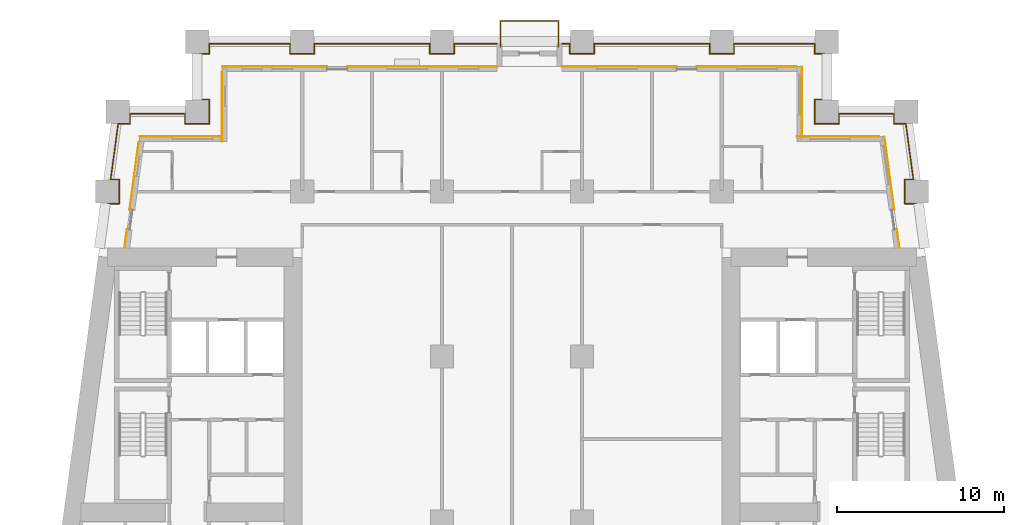
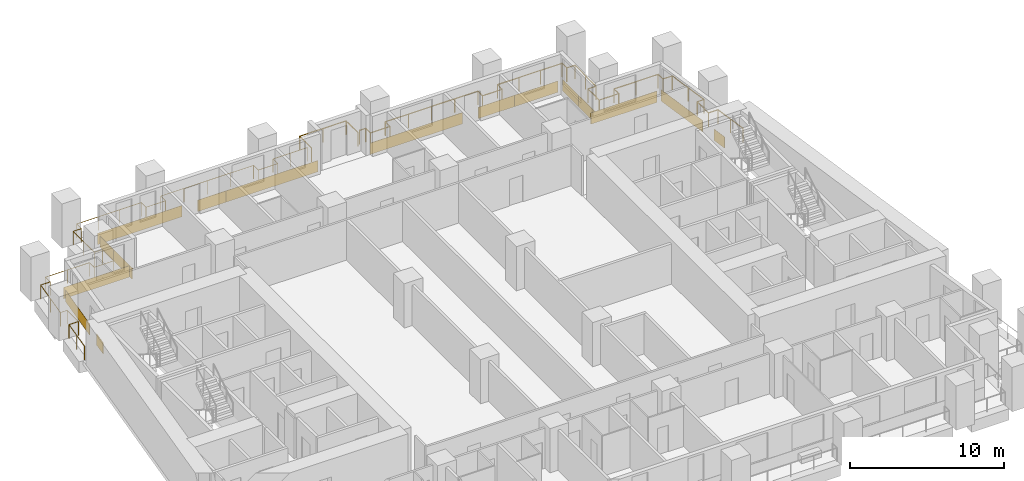
# One storey, part 12 of 13: 16 coverings, 3 railings.
"""IFC4 building model written with IfcOpenShell, lengths in metres."""

from ifc_helpers import new_model, si_unit, direction, frame, origin, origin_2d, place, context, subcontext, project, spatial, rectangle, circle, extrude, material, layer, layer_set, type_object, element, save


model = new_model("IFC4")

# Units and contexts
model_context = context("Model", 3, precision=1e-05, world=origin(), true_north=direction((0.0, 1.0)))
body_context = subcontext(model_context, "Body", "Model", "MODEL_VIEW")
ifc_project = project(units=[si_unit("LENGTHUNIT", "METRE"), si_unit("AREAUNIT", "SQUARE_METRE"), si_unit("VOLUMEUNIT", "CUBIC_METRE"), si_unit("PLANEANGLEUNIT", "RADIAN"), si_unit("MASSUNIT", "GRAM", prefix="KILO")], contexts=[model_context])

# Site, building, storey
site_placement = place(None, origin())
site = spatial("IfcSite", under=ifc_project, at=site_placement, CompositionType="ELEMENT")
building_placement = place(site_placement, origin())
building = spatial("IfcBuilding", under=site, at=building_placement, Name="Candeia Pilgrim Tower and Theatre", CompositionType="ELEMENT")
storey_placement = place(building_placement, frame((0.0, 0.0, 70.5)))
storey = spatial("IfcBuildingStorey", under=building, at=storey_placement, Name="L15", CompositionType="ELEMENT", Elevation=70.5)

# Railings
ifc_material_1 = material(Name="Stainless steel balustrade", Category="steel")
railing_type = type_object("IfcRailingType", Name="G1 loggia guard 1100", PredefinedType="GUARDRAIL", material=ifc_material_1)
railing_1_placement = place(storey_placement, frame((88.758544921875, 132.449951171875, 0.0)))
element("IfcRailing", 1, at=railing_1_placement, inside=storey, type_object=railing_type, Name="Guard L15.2", PredefinedType="GUARDRAIL", context=body_context, shape_type="SweptSolid", body=[
    extrude(circle(Radius=0.02392578125, at=origin_2d()), frame((0.0, 0.0, 1.076171875), z_axis=(0.133439920495, 0.991056904329, 0.0), x_axis=(-0.991056904329, 0.133439920495, 0.0)), (0.0, 0.0, 1.0), 2.643798828125),
    extrude(circle(Radius=0.02392578125, at=origin_2d()), frame((0.352783203125, 2.6201171875, 1.076171875), z_axis=(1.0, 0.0, 0.0), x_axis=(0.0, 1.0, 0.0)), (0.0, 0.0, 1.0), 0.70703125),
    extrude(circle(Radius=0.02392578125, at=origin_2d()), frame((1.059814453125, 2.6201171875, 1.076171875), z_axis=(0.0, 1.0, 0.0), x_axis=(-1.0, 0.0, 0.0)), (0.0, 0.0, 1.0), 1.4599609375),
    extrude(circle(Radius=0.02392578125, at=origin_2d()), frame((1.059814453125, 4.080078125, 1.076171875), z_axis=(-1.0, 0.0, 0.0), x_axis=(0.0, -1.0, 0.0)), (0.0, 0.0, 1.0), 0.510498046875),
    extrude(circle(Radius=0.02392578125, at=origin_2d()), frame((0.54931640625, 4.080078125, 1.076171875), z_axis=(0.133364121373, 0.991067107279, 0.0), x_axis=(-0.991067107279, 0.133364121373, 0.0)), (0.0, 0.0, 1.0), 3.3701171875),
    extrude(circle(Radius=0.02392578125, at=origin_2d()), frame((0.998779296875, 7.420166015625, 1.076171875), z_axis=(1.0, 0.0, 0.0), x_axis=(0.0, 1.0, 0.0)), (0.0, 0.0, 1.0), 0.707275390625),
    extrude(circle(Radius=0.02392578125, at=origin_2d()), frame((1.7060546875, 7.420166015625, 1.076171875), z_axis=(0.0, 1.0, 0.0), x_axis=(-1.0, 0.0, 0.0)), (0.0, 0.0, 1.0), 0.60986328125),
    extrude(circle(Radius=0.02392578125, at=origin_2d()), frame((1.7060546875, 8.030029296875, 1.076171875), z_axis=(1.0, 0.0, 0.0), x_axis=(0.0, 1.0, 0.0)), (0.0, 0.0, 1.0), 3.305419921875),
    extrude(circle(Radius=0.02392578125, at=origin_2d()), frame((5.011474609375, 8.030029296875, 1.076171875), z_axis=(0.0, -1.0, 0.0), x_axis=(1.0, 0.0, 0.0)), (0.0, 0.0, 1.0), 0.60986328125),
    extrude(circle(Radius=0.02392578125, at=origin_2d()), frame((5.011474609375, 7.420166015625, 1.076171875), z_axis=(1.0, 0.0, 0.0), x_axis=(0.0, 1.0, 0.0)), (0.0, 0.0, 1.0), 1.4599609375),
    extrude(circle(Radius=0.02392578125, at=origin_2d()), frame((6.471435546875, 7.420166015625, 1.076171875), z_axis=(0.0, 1.0, 0.0), x_axis=(-1.0, 0.0, 0.0)), (0.0, 0.0, 1.0), 1.4599609375),
    extrude(circle(Radius=0.02392578125, at=origin_2d()), frame((6.471435546875, 8.880126953125, 1.076171875), z_axis=(-1.0, 0.0, 0.0), x_axis=(0.0, -1.0, 0.0)), (0.0, 0.0, 1.0), 0.60986328125),
    extrude(circle(Radius=0.02392578125, at=origin_2d()), frame((5.861572265625, 8.880126953125, 1.076171875), z_axis=(0.0, 1.0, 0.0), x_axis=(-1.0, 0.0, 0.0)), (0.0, 0.0, 1.0), 2.739990234375),
    extrude(circle(Radius=0.02392578125, at=origin_2d()), frame((5.861572265625, 11.6201171875, 1.076171875), z_axis=(1.0, 0.0, 0.0), x_axis=(0.0, 1.0, 0.0)), (0.0, 0.0, 1.0), 0.60986328125),
    extrude(circle(Radius=0.02392578125, at=origin_2d()), frame((6.471435546875, 11.6201171875, 1.076171875), z_axis=(0.0, 1.0, 0.0), x_axis=(-1.0, 0.0, 0.0)), (0.0, 0.0, 1.0), 0.60986328125),
    extrude(circle(Radius=0.02392578125, at=origin_2d()), frame((6.471435546875, 12.22998046875, 1.076171875), z_axis=(1.0, 0.0, 0.0), x_axis=(0.0, 1.0, 0.0)), (0.0, 0.0, 1.0), 4.840087890625),
    extrude(circle(Radius=0.02392578125, at=origin_2d()), frame((11.3115234375, 12.22998046875, 1.076171875), z_axis=(0.0, -1.0, 0.0), x_axis=(1.0, 0.0, 0.0)), (0.0, 0.0, 1.0), 0.60986328125),
    extrude(circle(Radius=0.02392578125, at=origin_2d()), frame((11.3115234375, 11.6201171875, 1.076171875), z_axis=(1.0, 0.0, 0.0), x_axis=(0.0, 1.0, 0.0)), (0.0, 0.0, 1.0), 1.4599609375),
    extrude(circle(Radius=0.02392578125, at=origin_2d()), frame((12.771484375, 11.6201171875, 1.076171875), z_axis=(0.0, 1.0, 0.0), x_axis=(-1.0, 0.0, 0.0)), (0.0, 0.0, 1.0), 0.60986328125),
    extrude(circle(Radius=0.02392578125, at=origin_2d()), frame((12.771484375, 12.22998046875, 1.076171875), z_axis=(1.0, 0.0, 0.0), x_axis=(0.0, 1.0, 0.0)), (0.0, 0.0, 1.0), 6.93994140625),
    extrude(circle(Radius=0.02392578125, at=origin_2d()), frame((19.71142578125, 12.22998046875, 1.076171875), z_axis=(0.0, -1.0, 0.0), x_axis=(1.0, 0.0, 0.0)), (0.0, 0.0, 1.0), 0.60986328125),
    extrude(circle(Radius=0.02392578125, at=origin_2d()), frame((19.71142578125, 11.6201171875, 1.076171875), z_axis=(1.0, 0.0, 0.0), x_axis=(0.0, 1.0, 0.0)), (0.0, 0.0, 1.0), 1.4599609375),
    extrude(circle(Radius=0.02392578125, at=origin_2d()), frame((21.17138671875, 11.6201171875, 1.076171875), z_axis=(0.0, 1.0, 0.0), x_axis=(-1.0, 0.0, 0.0)), (0.0, 0.0, 1.0), 0.60986328125),
    extrude(circle(Radius=0.02392578125, at=origin_2d()), frame((21.17138671875, 12.22998046875, 1.076171875), z_axis=(1.0, 0.0, 0.0), x_axis=(0.0, 1.0, 0.0)), (0.0, 0.0, 1.0), 2.570068359375),
    extrude(circle(Radius=0.02099609375, at=origin_2d()), origin(), (0.0, 0.0, 1.0), 1.052001953125),
    extrude(circle(Radius=0.02099609375, at=origin_2d()), frame((0.17626953125, 1.31005859375, 0.0)), (0.0, 0.0, 1.0), 1.052001953125),
    extrude(circle(Radius=0.02099609375, at=origin_2d()), frame((0.352783203125, 2.6201171875, 0.0)), (0.0, 0.0, 1.0), 1.052001953125),
    extrude(circle(Radius=0.02099609375, at=origin_2d()), frame((1.059814453125, 2.6201171875, 0.0)), (0.0, 0.0, 1.0), 1.052001953125),
    extrude(circle(Radius=0.02099609375, at=origin_2d()), frame((1.059814453125, 4.080078125, 0.0)), (0.0, 0.0, 1.0), 1.052001953125),
    extrude(circle(Radius=0.02099609375, at=origin_2d()), frame((0.54931640625, 4.080078125, 0.0)), (0.0, 0.0, 1.0), 1.052001953125),
    extrude(circle(Radius=0.02099609375, at=origin_2d()), frame((0.77392578125, 5.75, 0.0)), (0.0, 0.0, 1.0), 1.052001953125),
    extrude(circle(Radius=0.02099609375, at=origin_2d()), frame((0.998779296875, 7.420166015625, 0.0)), (0.0, 0.0, 1.0), 1.052001953125),
    extrude(circle(Radius=0.02099609375, at=origin_2d()), frame((1.7060546875, 7.420166015625, 0.0)), (0.0, 0.0, 1.0), 1.052001953125),
    extrude(circle(Radius=0.02099609375, at=origin_2d()), frame((1.7060546875, 8.030029296875, 0.0)), (0.0, 0.0, 1.0), 1.052001953125),
    extrude(circle(Radius=0.02099609375, at=origin_2d()), frame((3.35888671875, 8.030029296875, 0.0)), (0.0, 0.0, 1.0), 1.052001953125),
    extrude(circle(Radius=0.02099609375, at=origin_2d()), frame((5.011474609375, 8.030029296875, 0.0)), (0.0, 0.0, 1.0), 1.052001953125),
    extrude(circle(Radius=0.02099609375, at=origin_2d()), frame((5.011474609375, 7.420166015625, 0.0)), (0.0, 0.0, 1.0), 1.052001953125),
    extrude(circle(Radius=0.02099609375, at=origin_2d()), frame((6.471435546875, 7.420166015625, 0.0)), (0.0, 0.0, 1.0), 1.052001953125),
    extrude(circle(Radius=0.02099609375, at=origin_2d()), frame((6.471435546875, 8.880126953125, 0.0)), (0.0, 0.0, 1.0), 1.052001953125),
    extrude(circle(Radius=0.02099609375, at=origin_2d()), frame((5.861572265625, 8.880126953125, 0.0)), (0.0, 0.0, 1.0), 1.052001953125),
    extrude(circle(Radius=0.02099609375, at=origin_2d()), frame((5.861572265625, 10.25, 0.0)), (0.0, 0.0, 1.0), 1.052001953125),
    extrude(circle(Radius=0.02099609375, at=origin_2d()), frame((5.861572265625, 11.6201171875, 0.0)), (0.0, 0.0, 1.0), 1.052001953125),
    extrude(circle(Radius=0.02099609375, at=origin_2d()), frame((6.471435546875, 11.6201171875, 0.0)), (0.0, 0.0, 1.0), 1.052001953125),
    extrude(circle(Radius=0.02099609375, at=origin_2d()), frame((6.471435546875, 12.22998046875, 0.0)), (0.0, 0.0, 1.0), 1.052001953125),
    extrude(circle(Radius=0.02099609375, at=origin_2d()), frame((8.084716796875, 12.22998046875, 0.0)), (0.0, 0.0, 1.0), 1.052001953125),
    extrude(circle(Radius=0.02099609375, at=origin_2d()), frame((9.6982421875, 12.22998046875, 0.0)), (0.0, 0.0, 1.0), 1.052001953125),
    extrude(circle(Radius=0.02099609375, at=origin_2d()), frame((11.3115234375, 12.22998046875, 0.0)), (0.0, 0.0, 1.0), 1.052001953125),
    extrude(circle(Radius=0.02099609375, at=origin_2d()), frame((11.3115234375, 11.6201171875, 0.0)), (0.0, 0.0, 1.0), 1.052001953125),
    extrude(circle(Radius=0.02099609375, at=origin_2d()), frame((12.771484375, 11.6201171875, 0.0)), (0.0, 0.0, 1.0), 1.052001953125),
    extrude(circle(Radius=0.02099609375, at=origin_2d()), frame((12.771484375, 12.22998046875, 0.0)), (0.0, 0.0, 1.0), 1.052001953125),
    extrude(circle(Radius=0.02099609375, at=origin_2d()), frame((14.50634765625, 12.22998046875, 0.0)), (0.0, 0.0, 1.0), 1.052001953125),
    extrude(circle(Radius=0.02099609375, at=origin_2d()), frame((16.241455078125, 12.22998046875, 0.0)), (0.0, 0.0, 1.0), 1.052001953125),
    extrude(circle(Radius=0.02099609375, at=origin_2d()), frame((17.9765625, 12.22998046875, 0.0)), (0.0, 0.0, 1.0), 1.052001953125),
    extrude(circle(Radius=0.02099609375, at=origin_2d()), frame((19.71142578125, 12.22998046875, 0.0)), (0.0, 0.0, 1.0), 1.052001953125),
    extrude(circle(Radius=0.02099609375, at=origin_2d()), frame((19.71142578125, 11.6201171875, 0.0)), (0.0, 0.0, 1.0), 1.052001953125),
    extrude(circle(Radius=0.02099609375, at=origin_2d()), frame((21.17138671875, 11.6201171875, 0.0)), (0.0, 0.0, 1.0), 1.052001953125),
    extrude(circle(Radius=0.02099609375, at=origin_2d()), frame((21.17138671875, 12.22998046875, 0.0)), (0.0, 0.0, 1.0), 1.052001953125),
    extrude(circle(Radius=0.02099609375, at=origin_2d()), frame((22.45654296875, 12.22998046875, 0.0)), (0.0, 0.0, 1.0), 1.052001953125),
    extrude(circle(Radius=0.02099609375, at=origin_2d()), frame((23.741455078125, 12.22998046875, 0.0)), (0.0, 0.0, 1.0), 1.052001953125),
])
railing_2_placement = place(storey_placement, frame((116.39990234375, 144.679931640625, 0.0)))
element("IfcRailing", 2, at=railing_2_placement, inside=storey, type_object=railing_type, Name="Guard L15.3", PredefinedType="GUARDRAIL", context=body_context, shape_type="SweptSolid", body=[
    extrude(circle(Radius=0.02392578125, at=origin_2d()), frame((0.0, 0.0, 1.076171875), z_axis=(1.0, 0.0, 0.0), x_axis=(0.0, 1.0, 0.0)), (0.0, 0.0, 1.0), 0.47021484375),
    extrude(circle(Radius=0.02392578125, at=origin_2d()), frame((0.47021484375, 0.0, 1.076171875), z_axis=(0.0, -1.0, 0.0), x_axis=(1.0, 0.0, 0.0)), (0.0, 0.0, 1.0), 0.60986328125),
    extrude(circle(Radius=0.02392578125, at=origin_2d()), frame((0.47021484375, -0.60986328125, 1.076171875), z_axis=(1.0, 0.0, 0.0), x_axis=(0.0, 1.0, 0.0)), (0.0, 0.0, 1.0), 1.4599609375),
    extrude(circle(Radius=0.02392578125, at=origin_2d()), frame((1.93017578125, -0.60986328125, 1.076171875), z_axis=(0.0, 1.0, 0.0), x_axis=(-1.0, 0.0, 0.0)), (0.0, 0.0, 1.0), 0.60986328125),
    extrude(circle(Radius=0.02392578125, at=origin_2d()), frame((1.93017578125, 0.0, 1.076171875), z_axis=(1.0, 0.0, 0.0), x_axis=(0.0, 1.0, 0.0)), (0.0, 0.0, 1.0), 6.93994140625),
    extrude(circle(Radius=0.02392578125, at=origin_2d()), frame((8.8701171875, 0.0, 1.076171875), z_axis=(0.0, -1.0, 0.0), x_axis=(1.0, 0.0, 0.0)), (0.0, 0.0, 1.0), 0.60986328125),
    extrude(circle(Radius=0.02392578125, at=origin_2d()), frame((8.8701171875, -0.60986328125, 1.076171875), z_axis=(1.0, 0.0, 0.0), x_axis=(0.0, 1.0, 0.0)), (0.0, 0.0, 1.0), 1.4599609375),
    extrude(circle(Radius=0.02392578125, at=origin_2d()), frame((10.330078125, -0.60986328125, 1.076171875), z_axis=(0.0, 1.0, 0.0), x_axis=(-1.0, 0.0, 0.0)), (0.0, 0.0, 1.0), 0.60986328125),
    extrude(circle(Radius=0.02392578125, at=origin_2d()), frame((10.330078125, 0.0, 1.076171875), z_axis=(1.0, 0.0, 0.0), x_axis=(0.0, 1.0, 0.0)), (0.0, 0.0, 1.0), 4.840087890625),
    extrude(circle(Radius=0.02392578125, at=origin_2d()), frame((15.170166015625, 0.0, 1.076171875), z_axis=(0.0, -1.0, 0.0), x_axis=(1.0, 0.0, 0.0)), (0.0, 0.0, 1.0), 0.60986328125),
    extrude(circle(Radius=0.02392578125, at=origin_2d()), frame((15.170166015625, -0.60986328125, 1.076171875), z_axis=(1.0, 0.0, 0.0), x_axis=(0.0, 1.0, 0.0)), (0.0, 0.0, 1.0), 0.60986328125),
    extrude(circle(Radius=0.02392578125, at=origin_2d()), frame((15.780029296875, -0.60986328125, 1.076171875), z_axis=(0.0, -1.0, 0.0), x_axis=(1.0, 0.0, 0.0)), (0.0, 0.0, 1.0), 2.739990234375),
    extrude(circle(Radius=0.02392578125, at=origin_2d()), frame((15.780029296875, -3.349853515625, 1.076171875), z_axis=(-1.0, 0.0, 0.0), x_axis=(0.0, -1.0, 0.0)), (0.0, 0.0, 1.0), 0.60986328125),
    extrude(circle(Radius=0.02392578125, at=origin_2d()), frame((15.170166015625, -3.349853515625, 1.076171875), z_axis=(0.0, -1.0, 0.0), x_axis=(1.0, 0.0, 0.0)), (0.0, 0.0, 1.0), 1.4599609375),
    extrude(circle(Radius=0.02392578125, at=origin_2d()), frame((15.170166015625, -4.809814453125, 1.076171875), z_axis=(1.0, 0.0, 0.0), x_axis=(0.0, 1.0, 0.0)), (0.0, 0.0, 1.0), 1.4599609375),
    extrude(circle(Radius=0.02392578125, at=origin_2d()), frame((16.630126953125, -4.809814453125, 1.076171875), z_axis=(0.0, 1.0, 0.0), x_axis=(-1.0, 0.0, 0.0)), (0.0, 0.0, 1.0), 0.60986328125),
    extrude(circle(Radius=0.02392578125, at=origin_2d()), frame((16.630126953125, -4.199951171875, 1.076171875), z_axis=(1.0, 0.0, 0.0), x_axis=(0.0, 1.0, 0.0)), (0.0, 0.0, 1.0), 3.305419921875),
    extrude(circle(Radius=0.02392578125, at=origin_2d()), frame((19.935546875, -4.199951171875, 1.076171875), z_axis=(0.0, -1.0, 0.0), x_axis=(1.0, 0.0, 0.0)), (0.0, 0.0, 1.0), 0.60986328125),
    extrude(circle(Radius=0.02392578125, at=origin_2d()), frame((19.935546875, -4.809814453125, 1.076171875), z_axis=(1.0, 0.0, 0.0), x_axis=(0.0, 1.0, 0.0)), (0.0, 0.0, 1.0), 0.70703125),
    extrude(circle(Radius=0.02392578125, at=origin_2d()), frame((20.642578125, -4.809814453125, 1.076171875), z_axis=(0.133435273035, -0.991057530071, 0.0), x_axis=(0.991057530071, 0.133435273035, 0.0)), (0.0, 0.0, 1.0), 3.3701171875),
    extrude(circle(Radius=0.02392578125, at=origin_2d()), frame((21.09228515625, -8.14990234375, 1.076171875), z_axis=(-1.0, 0.0, 0.0), x_axis=(0.0, -1.0, 0.0)), (0.0, 0.0, 1.0), 0.5107421875),
    extrude(circle(Radius=0.02392578125, at=origin_2d()), frame((20.58154296875, -8.14990234375, 1.076171875), z_axis=(0.0, -1.0, 0.0), x_axis=(1.0, 0.0, 0.0)), (0.0, 0.0, 1.0), 1.4599609375),
    extrude(circle(Radius=0.02392578125, at=origin_2d()), frame((20.58154296875, -9.60986328125, 1.076171875), z_axis=(1.0, 0.0, 0.0), x_axis=(0.0, 1.0, 0.0)), (0.0, 0.0, 1.0), 0.707275390625),
    extrude(circle(Radius=0.02392578125, at=origin_2d()), frame((21.288818359375, -9.60986328125, 1.076171875), z_axis=(0.133439920495, -0.991056904329, 0.0), x_axis=(0.991056904329, 0.133439920495, 0.0)), (0.0, 0.0, 1.0), 2.643798828125),
    extrude(circle(Radius=0.02099609375, at=origin_2d()), origin(), (0.0, 0.0, 1.0), 1.052001953125),
    extrude(circle(Radius=0.02099609375, at=origin_2d()), frame((0.47021484375, 0.0, 0.0)), (0.0, 0.0, 1.0), 1.052001953125),
    extrude(circle(Radius=0.02099609375, at=origin_2d()), frame((0.47021484375, -0.60986328125, 0.0)), (0.0, 0.0, 1.0), 1.052001953125),
    extrude(circle(Radius=0.02099609375, at=origin_2d()), frame((1.93017578125, -0.60986328125, 0.0)), (0.0, 0.0, 1.0), 1.052001953125),
    extrude(circle(Radius=0.02099609375, at=origin_2d()), frame((1.93017578125, 0.0, 0.0)), (0.0, 0.0, 1.0), 1.052001953125),
    extrude(circle(Radius=0.02099609375, at=origin_2d()), frame((3.6650390625, 0.0, 0.0)), (0.0, 0.0, 1.0), 1.052001953125),
    extrude(circle(Radius=0.02099609375, at=origin_2d()), frame((5.400146484375, 0.0, 0.0)), (0.0, 0.0, 1.0), 1.052001953125),
    extrude(circle(Radius=0.02099609375, at=origin_2d()), frame((7.13525390625, 0.0, 0.0)), (0.0, 0.0, 1.0), 1.052001953125),
    extrude(circle(Radius=0.02099609375, at=origin_2d()), frame((8.8701171875, 0.0, 0.0)), (0.0, 0.0, 1.0), 1.052001953125),
    extrude(circle(Radius=0.02099609375, at=origin_2d()), frame((8.8701171875, -0.60986328125, 0.0)), (0.0, 0.0, 1.0), 1.052001953125),
    extrude(circle(Radius=0.02099609375, at=origin_2d()), frame((10.330078125, -0.60986328125, 0.0)), (0.0, 0.0, 1.0), 1.052001953125),
    extrude(circle(Radius=0.02099609375, at=origin_2d()), frame((10.330078125, 0.0, 0.0)), (0.0, 0.0, 1.0), 1.052001953125),
    extrude(circle(Radius=0.02099609375, at=origin_2d()), frame((11.943359375, 0.0, 0.0)), (0.0, 0.0, 1.0), 1.052001953125),
    extrude(circle(Radius=0.02099609375, at=origin_2d()), frame((13.556884765625, 0.0, 0.0)), (0.0, 0.0, 1.0), 1.052001953125),
    extrude(circle(Radius=0.02099609375, at=origin_2d()), frame((15.170166015625, 0.0, 0.0)), (0.0, 0.0, 1.0), 1.052001953125),
    extrude(circle(Radius=0.02099609375, at=origin_2d()), frame((15.170166015625, -0.60986328125, 0.0)), (0.0, 0.0, 1.0), 1.052001953125),
    extrude(circle(Radius=0.02099609375, at=origin_2d()), frame((15.780029296875, -0.60986328125, 0.0)), (0.0, 0.0, 1.0), 1.052001953125),
    extrude(circle(Radius=0.02099609375, at=origin_2d()), frame((15.780029296875, -1.97998046875, 0.0)), (0.0, 0.0, 1.0), 1.052001953125),
    extrude(circle(Radius=0.02099609375, at=origin_2d()), frame((15.780029296875, -3.349853515625, 0.0)), (0.0, 0.0, 1.0), 1.052001953125),
    extrude(circle(Radius=0.02099609375, at=origin_2d()), frame((15.170166015625, -3.349853515625, 0.0)), (0.0, 0.0, 1.0), 1.052001953125),
    extrude(circle(Radius=0.02099609375, at=origin_2d()), frame((15.170166015625, -4.809814453125, 0.0)), (0.0, 0.0, 1.0), 1.052001953125),
    extrude(circle(Radius=0.02099609375, at=origin_2d()), frame((16.630126953125, -4.809814453125, 0.0)), (0.0, 0.0, 1.0), 1.052001953125),
    extrude(circle(Radius=0.02099609375, at=origin_2d()), frame((16.630126953125, -4.199951171875, 0.0)), (0.0, 0.0, 1.0), 1.052001953125),
    extrude(circle(Radius=0.02099609375, at=origin_2d()), frame((18.28271484375, -4.199951171875, 0.0)), (0.0, 0.0, 1.0), 1.052001953125),
    extrude(circle(Radius=0.02099609375, at=origin_2d()), frame((19.935546875, -4.199951171875, 0.0)), (0.0, 0.0, 1.0), 1.052001953125),
    extrude(circle(Radius=0.02099609375, at=origin_2d()), frame((19.935546875, -4.809814453125, 0.0)), (0.0, 0.0, 1.0), 1.052001953125),
    extrude(circle(Radius=0.02099609375, at=origin_2d()), frame((20.642578125, -4.809814453125, 0.0)), (0.0, 0.0, 1.0), 1.052001953125),
    extrude(circle(Radius=0.02099609375, at=origin_2d()), frame((20.867431640625, -6.47998046875, 0.0)), (0.0, 0.0, 1.0), 1.052001953125),
    extrude(circle(Radius=0.02099609375, at=origin_2d()), frame((21.09228515625, -8.14990234375, 0.0)), (0.0, 0.0, 1.0), 1.052001953125),
    extrude(circle(Radius=0.02099609375, at=origin_2d()), frame((20.58154296875, -8.14990234375, 0.0)), (0.0, 0.0, 1.0), 1.052001953125),
    extrude(circle(Radius=0.02099609375, at=origin_2d()), frame((20.58154296875, -9.60986328125, 0.0)), (0.0, 0.0, 1.0), 1.052001953125),
    extrude(circle(Radius=0.02099609375, at=origin_2d()), frame((21.288818359375, -9.60986328125, 0.0)), (0.0, 0.0, 1.0), 1.052001953125),
    extrude(circle(Radius=0.02099609375, at=origin_2d()), frame((21.46533203125, -10.919921875, 0.0)), (0.0, 0.0, 1.0), 1.052001953125),
    extrude(circle(Radius=0.02099609375, at=origin_2d()), frame((21.6416015625, -12.22998046875, 0.0)), (0.0, 0.0, 1.0), 1.052001953125),
])
railing_3_placement = place(storey_placement, frame((112.7099609375, 144.5, 0.0)))
element("IfcRailing", 3, at=railing_3_placement, inside=storey, type_object=railing_type, Name="Balcony guard L15", PredefinedType="GUARDRAIL", context=body_context, shape_type="SweptSolid", body=[
    extrude(circle(Radius=0.02392578125, at=origin_2d()), frame((0.0, 0.0, 1.076171875), z_axis=(0.0, 1.0, 0.0), x_axis=(-1.0, 0.0, 0.0)), (0.0, 0.0, 1.0), 1.5400390625),
    extrude(circle(Radius=0.02392578125, at=origin_2d()), frame((0.0, 1.5400390625, 1.076171875), z_axis=(1.0, 0.0, 0.0), x_axis=(0.0, 1.0, 0.0)), (0.0, 0.0, 1.0), 3.47998046875),
    extrude(circle(Radius=0.02392578125, at=origin_2d()), frame((3.47998046875, 1.5400390625, 1.076171875), z_axis=(0.0, -1.0, 0.0), x_axis=(1.0, 0.0, 0.0)), (0.0, 0.0, 1.0), 1.5400390625),
    extrude(circle(Radius=0.02099609375, at=origin_2d()), origin(), (0.0, 0.0, 1.0), 1.052001953125),
    extrude(circle(Radius=0.02099609375, at=origin_2d()), frame((0.0, 1.5400390625, 0.0)), (0.0, 0.0, 1.0), 1.052001953125),
    extrude(circle(Radius=0.02099609375, at=origin_2d()), frame((1.739990234375, 1.5400390625, 0.0)), (0.0, 0.0, 1.0), 1.052001953125),
    extrude(circle(Radius=0.02099609375, at=origin_2d()), frame((3.47998046875, 1.5400390625, 0.0)), (0.0, 0.0, 1.0), 1.052001953125),
    extrude(circle(Radius=0.02099609375, at=origin_2d()), frame((3.47998046875, 0.0, 0.0)), (0.0, 0.0, 1.0), 1.052001953125),
])

# Coverings
ifc_material_2 = material(Name="Glazed ceramic tile deep red")
ifc_layer_1 = layer(ifc_material_2, 0.02001953125)
ifc_layer_set_1 = layer_set([ifc_layer_1], Name="Glazed ceramic tile deep red")
covering_type_1 = type_object("IfcCoveringType", Name="Glazed ceramic tile deep red", PredefinedType="CLADDING", material=ifc_layer_set_1)
covering_1_placement = place(storey_placement, frame((132.976318359375, 139.110107421875, 0.0), z_axis=(0.0, 0.0, 1.0), x_axis=(-1.0, 0.0, 0.0)))
element("IfcCovering", 4, at=covering_1_placement, inside=storey, type_object=covering_type_1, Name="Tile cladding deep red L15", PredefinedType="CLADDING", context=body_context, shape_type="SweptSolid", body=[
    extrude(rectangle(XDim=4.95263671875, YDim=0.02001953125, at=origin_2d()), origin(), (0.0, 0.0, 1.0), 0.89990234375),
])
covering_2_placement = place(storey_placement, frame((130.81005859375, 142.25, 0.0), z_axis=(0.0, 0.0, 1.0), x_axis=(0.0, 1.0, 0.0)))
element("IfcCovering", 5, at=covering_2_placement, inside=storey, type_object=covering_type_1, Name="Tile cladding deep red L15", PredefinedType="CLADDING", context=body_context, shape_type="SweptSolid", body=[
    extrude(rectangle(XDim=2.10009765625, YDim=0.02001953125, at=origin_2d()), origin(), (0.0, 0.0, 1.0), 0.89990234375),
])
covering_3_placement = place(storey_placement, frame((128.840087890625, 143.31005859375, 0.0), z_axis=(0.0, 0.0, 1.0), x_axis=(-1.0, 0.0, 0.0)))
element("IfcCovering", 6, at=covering_3_placement, inside=storey, type_object=covering_type_1, Name="Tile cladding deep red L15", PredefinedType="CLADDING", context=body_context, shape_type="SweptSolid", body=[
    extrude(rectangle(XDim=3.280029296875, YDim=0.02001953125, at=origin_2d()), origin(), (0.0, 0.0, 1.0), 0.89990234375),
])
covering_4_placement = place(storey_placement, frame((104.550048828125, 143.31005859375, 0.0), z_axis=(0.0, 0.0, 1.0), x_axis=(-1.0, 0.0, 0.0)))
element("IfcCovering", 7, at=covering_4_placement, inside=storey, type_object=covering_type_1, Name="Tile cladding deep red L15", PredefinedType="CLADDING", context=body_context, shape_type="SweptSolid", body=[
    extrude(rectangle(XDim=2.10009765625, YDim=0.02001953125, at=origin_2d()), origin(), (0.0, 0.0, 1.0), 0.89990234375),
])
covering_5_placement = place(storey_placement, frame((99.14990234375, 143.31005859375, 0.0), z_axis=(0.0, 0.0, 1.0), x_axis=(-1.0, 0.0, 0.0)))
element("IfcCovering", 8, at=covering_5_placement, inside=storey, type_object=covering_type_1, Name="Tile cladding deep red L15", PredefinedType="CLADDING", context=body_context, shape_type="SweptSolid", body=[
    extrude(rectangle(XDim=6.300048828125, YDim=0.02001953125, at=origin_2d()), origin(), (0.0, 0.0, 1.0), 0.89990234375),
])
covering_6_placement = place(storey_placement, frame((95.989990234375, 142.090087890625, 0.0), z_axis=(0.0, 0.0, 1.0), x_axis=(0.0, -1.0, 0.0)))
element("IfcCovering", 9, at=covering_6_placement, inside=storey, type_object=covering_type_1, Name="Tile cladding deep red L15", PredefinedType="CLADDING", context=body_context, shape_type="SweptSolid", body=[
    extrude(rectangle(XDim=1.780029296875, YDim=0.02001953125, at=origin_2d()), origin(), (0.0, 0.0, 1.0), 0.89990234375),
])
covering_7_placement = place(storey_placement, frame((93.51318359375, 139.110107421875, 0.0), z_axis=(0.0, 0.0, 1.0), x_axis=(-1.0, 0.0, 0.0)))
element("IfcCovering", 10, at=covering_7_placement, inside=storey, type_object=covering_type_1, Name="Tile cladding deep red L15", PredefinedType="CLADDING", context=body_context, shape_type="SweptSolid", body=[
    extrude(rectangle(XDim=4.933837890625, YDim=0.02001953125, at=origin_2d()), origin(), (0.0, 0.0, 1.0), 0.89990234375),
])
ifc_material_3 = material(Name="Glazed ceramic tile red")
ifc_layer_2 = layer(ifc_material_3, 0.02001953125)
ifc_layer_set_2 = layer_set([ifc_layer_2], Name="Glazed ceramic tile red")
covering_type_2 = type_object("IfcCoveringType", Name="Glazed ceramic tile red", PredefinedType="CLADDING", material=ifc_layer_set_2)
covering_8_placement = place(storey_placement, frame((136.588623046875, 132.97412109375, 0.0), z_axis=(0.0, 0.0, 1.0), x_axis=(-0.133412012145, 0.991060661622, 0.0)))
element("IfcCovering", 11, at=covering_8_placement, inside=storey, type_object=covering_type_2, Name="Tile cladding red L15", PredefinedType="CLADDING", context=body_context, shape_type="SweptSolid", body=[
    extrude(rectangle(XDim=1.115234375, YDim=0.02001953125, at=origin_2d()), origin(), (0.0, 0.0, 1.0), 0.89990234375),
])
covering_9_placement = place(storey_placement, frame((136.058837890625, 136.90869140625, 0.0), z_axis=(0.0, 0.0, 1.0), x_axis=(-0.133412012145, 0.991060661622, 0.0)))
element("IfcCovering", 12, at=covering_9_placement, inside=storey, type_object=covering_type_2, Name="Tile cladding red L15", PredefinedType="CLADDING", context=body_context, shape_type="SweptSolid", body=[
    extrude(rectangle(XDim=4.4248046875, YDim=0.02001953125, at=origin_2d()), origin(), (0.0, 0.0, 1.0), 0.89990234375),
])
covering_10_placement = place(storey_placement, frame((130.81005859375, 140.159912109375, 0.0), z_axis=(0.0, 0.0, 1.0), x_axis=(0.0, 1.0, 0.0)))
element("IfcCovering", 13, at=covering_10_placement, inside=storey, type_object=covering_type_2, Name="Tile cladding red L15", PredefinedType="CLADDING", context=body_context, shape_type="SweptSolid", body=[
    extrude(rectangle(XDim=2.080078125, YDim=0.02001953125, at=origin_2d()), origin(), (0.0, 0.0, 1.0), 0.89990234375),
])
covering_11_placement = place(storey_placement, frame((125.85009765625, 143.31005859375, 0.0), z_axis=(0.0, 0.0, 1.0), x_axis=(-1.0, 0.0, 0.0)))
element("IfcCovering", 14, at=covering_11_placement, inside=storey, type_object=covering_type_2, Name="Tile cladding red L15", PredefinedType="CLADDING", context=body_context, shape_type="SweptSolid", body=[
    extrude(rectangle(XDim=2.699951171875, YDim=0.02001953125, at=origin_2d()), origin(), (0.0, 0.0, 1.0), 0.89990234375),
])
for number, where, z_axis, x_axis, name in (
    (15, (119.85009765625, 143.31005859375, 0.0), (0.0, 0.0, 1.0), (-1.0, 0.0, 0.0), "Tile cladding red L15"),
    (16, (109.050048828125, 143.31005859375, 0.0), (0.0, 0.0, 1.0), (-1.0, 0.0, 0.0), "Tile cladding red L15"),
):
    element("IfcCovering", number, at=place(storey_placement, frame(where, z_axis=z_axis, x_axis=x_axis)), inside=storey, type_object=covering_type_2, Name=name, PredefinedType="CLADDING", context=body_context, shape_type="SweptSolid", body=[
        extrude(rectangle(XDim=6.89990234375, YDim=0.02001953125, at=origin_2d()), origin(), (0.0, 0.0, 1.0), 0.89990234375),
    ])
covering_12_placement = place(storey_placement, frame((95.989990234375, 140.0, 0.0), z_axis=(0.0, 0.0, 1.0), x_axis=(0.0, -1.0, 0.0)))
element("IfcCovering", 17, at=covering_12_placement, inside=storey, type_object=covering_type_2, Name="Tile cladding red L15", PredefinedType="CLADDING", context=body_context, shape_type="SweptSolid", body=[
    extrude(rectangle(XDim=2.39990234375, YDim=0.02001953125, at=origin_2d()), origin(), (0.0, 0.0, 1.0), 0.89990234375),
])
covering_13_placement = place(storey_placement, frame((90.720947265625, 136.759521484375, 0.0), z_axis=(0.0, 0.0, 1.0), x_axis=(-0.133412012145, -0.991060661622, 0.0)))
element("IfcCovering", 18, at=covering_13_placement, inside=storey, type_object=covering_type_2, Name="Tile cladding red L15", PredefinedType="CLADDING", context=body_context, shape_type="SweptSolid", body=[
    extrude(rectangle(XDim=4.123779296875, YDim=0.02001953125, at=origin_2d()), origin(), (0.0, 0.0, 1.0), 0.89990234375),
])
covering_14_placement = place(storey_placement, frame((90.21142578125, 132.97412109375, 0.0), z_axis=(0.0, 0.0, 1.0), x_axis=(-0.133412012145, -0.991060661622, 0.0)))
element("IfcCovering", 19, at=covering_14_placement, inside=storey, type_object=covering_type_2, Name="Tile cladding red L15", PredefinedType="CLADDING", context=body_context, shape_type="SweptSolid", body=[
    extrude(rectangle(XDim=1.115234375, YDim=0.02001953125, at=origin_2d()), origin(), (0.0, 0.0, 1.0), 0.89990234375),
])

save(model, "model.ifc")
